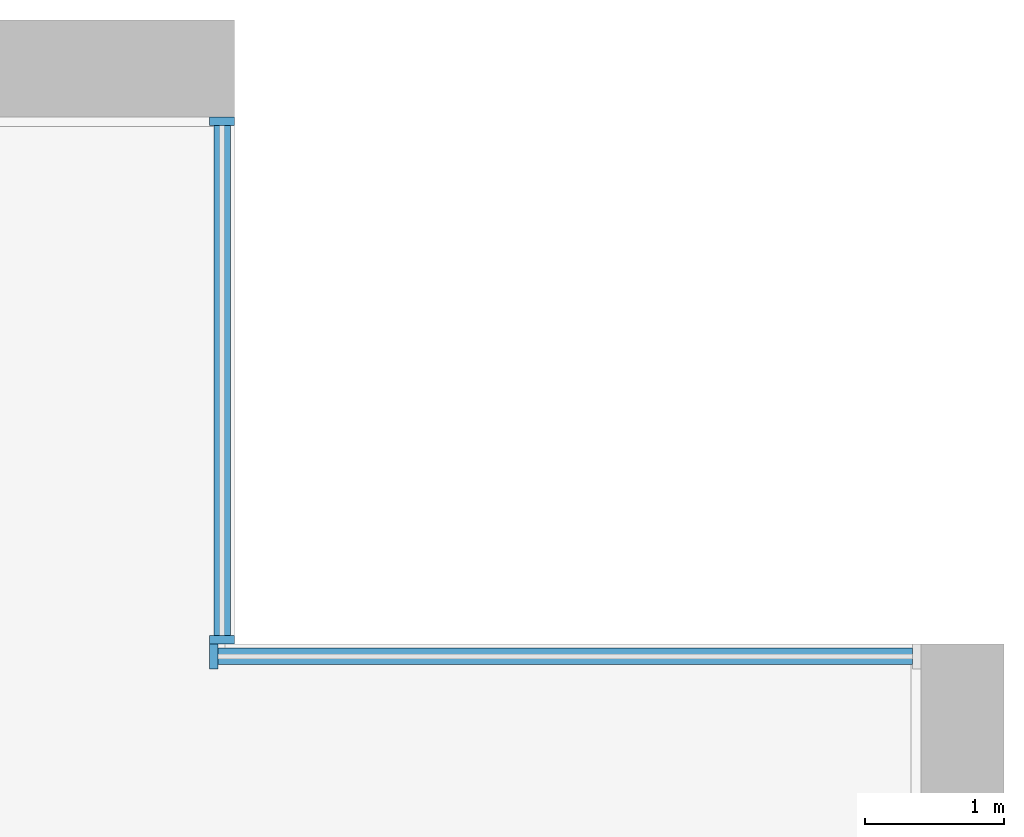
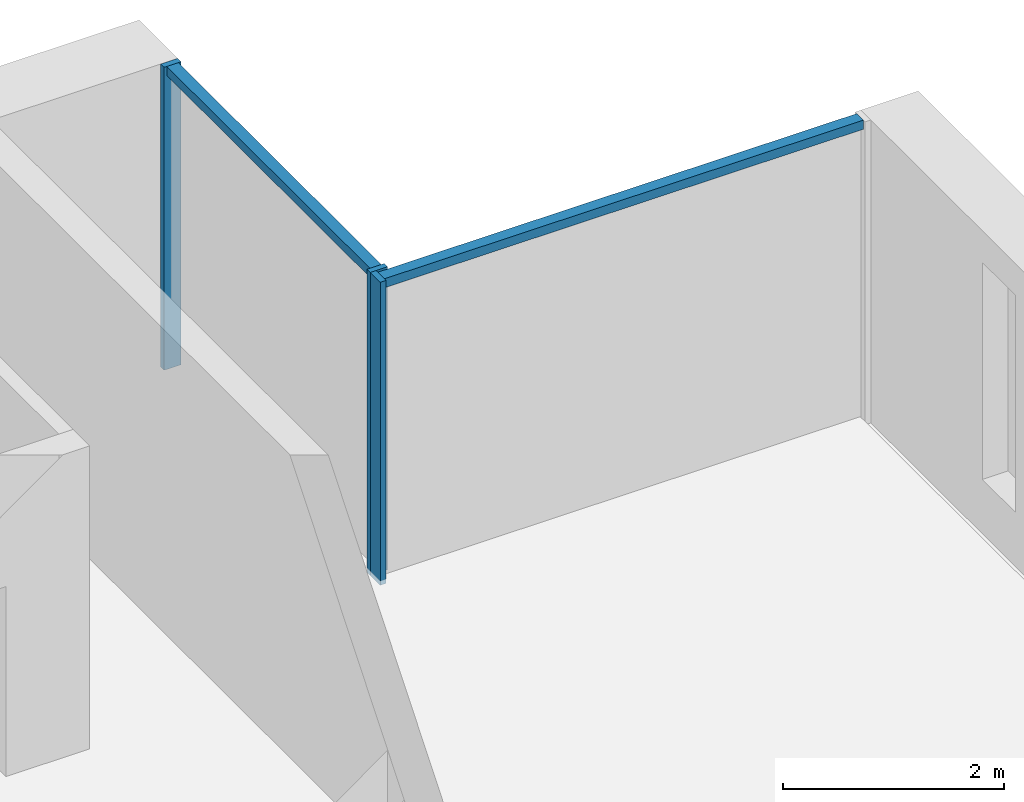
# One storey, part 5 of 17: 5 members, 2 elements without a shape of their own.
"""IFC4 building model written with IfcOpenShell, lengths in metres."""

from ifc_helpers import new_model, si_unit, direction, frame, origin, origin_2d, place, context, subcontext, project, spatial, rectangle, extrude, material, material_profile, profile_set, type_object, element, aggregate, save


model = new_model("IFC4")

# Units and contexts
model_context = context("Model", 3, precision=1e-05, world=origin(), true_north=direction((0.0, 1.0)))
body_context = subcontext(model_context, "Body", "Model", "MODEL_VIEW")
ifc_project = project(units=[si_unit("LENGTHUNIT", "METRE"), si_unit("AREAUNIT", "SQUARE_METRE"), si_unit("VOLUMEUNIT", "CUBIC_METRE"), si_unit("PLANEANGLEUNIT", "RADIAN"), si_unit("MASSUNIT", "GRAM", prefix="KILO")], contexts=[model_context])

# Site, building, storey
site_placement = place(None, origin())
site = spatial("IfcSite", under=ifc_project, at=site_placement, CompositionType="ELEMENT")
building_placement = place(site_placement, origin())
building = spatial("IfcBuilding", under=site, at=building_placement, Name="Calvaro Tower", CompositionType="ELEMENT")
storey_placement = place(building_placement, frame((0.0, 0.0, 200.5)))
storey = spatial("IfcBuildingStorey", under=building, at=storey_placement, Name="L50", CompositionType="ELEMENT", Elevation=200.5)

# Curtain wall, members
ifc_material_1 = material(Name="Anodised aluminium", Category="aluminium")
curtain_wall_type = type_object("IfcCurtainWallType", Name="Office curtain wall, upper zone", PredefinedType="NOTDEFINED", material=ifc_material_1)
curtain_wall_1_placement = place(storey_placement, origin())
curtain_wall_1 = element("IfcCurtainWall", 1, at=curtain_wall_1_placement, inside=storey, type_object=curtain_wall_type, Name="CW3 corner curtain wall", PredefinedType="NOTDEFINED")
ifc_material_2 = material(Name="Anodised aluminium", Category="aluminium")
ifc_material_profile_1 = material_profile(ifc_material_2, rectangle(XDim=0.179931640625, YDim=0.06005859375, at=origin_2d()), Name="Mullion S3 60 x 180")
ifc_profile_set_1 = profile_set([ifc_material_profile_1], Name="Anodised aluminium")
member_type_1 = type_object("IfcMemberType", Name="Mullion S3 60 x 180", PredefinedType="MULLION", material=ifc_profile_set_1)
member_1_placement = place(storey_placement, frame((66.360107421875, 41.530029296875, 0.0), z_axis=(0.0, 0.0, 1.0), x_axis=(-1.0, 0.0, 0.0)))
member_1 = element("IfcMember", 2, at=member_1_placement, type_object=member_type_1, Name="CW3 mullion 1", PredefinedType="MULLION", context=body_context, shape_type="SweptSolid", body=[
    extrude(rectangle(XDim=0.179931640625, YDim=0.06005859375, at=origin_2d()), origin(), (0.0, 0.0, 1.0), 3.35009765625),
])
member_2_placement = place(storey_placement, frame((66.360107421875, 45.27001953125, 0.0), z_axis=(0.0, 0.0, 1.0), x_axis=(-1.0, 0.0, 0.0)))
member_2 = element("IfcMember", 3, at=member_2_placement, type_object=member_type_1, Name="CW3 mullion 2", PredefinedType="MULLION", context=body_context, shape_type="SweptSolid", body=[
    extrude(rectangle(XDim=0.179931640625, YDim=0.06005859375, at=origin_2d()), origin(), (0.0, 0.0, 1.0), 3.35009765625),
])

# Curtain wall, member
curtain_wall_2_placement = place(storey_placement, origin())
curtain_wall_2 = element("IfcCurtainWall", 4, at=curtain_wall_2_placement, inside=storey, type_object=curtain_wall_type, Name="CW3 corner curtain wall", PredefinedType="NOTDEFINED")
member_3_placement = place(storey_placement, frame((66.300048828125, 41.409912109375, 0.0), z_axis=(0.0, 0.0, 1.0), x_axis=(0.0, 1.0, 0.0)))
member_3 = element("IfcMember", 5, at=member_3_placement, type_object=member_type_1, Name="CW3 mullion 1", PredefinedType="MULLION", context=body_context, shape_type="SweptSolid", body=[
    extrude(rectangle(XDim=0.179931640625, YDim=0.06005859375, at=origin_2d()), origin(), (0.0, 0.0, 1.0), 3.35009765625),
])

# Member
ifc_material_3 = material(Name="Anodised aluminium", Category="aluminium")
ifc_material_profile_2 = material_profile(ifc_material_3, rectangle(XDim=0.1201171875, YDim=0.10009765625, at=origin_2d()), Name="Transom S3 100 x 120")
ifc_profile_set_2 = profile_set([ifc_material_profile_2], Name="Anodised aluminium")
member_type_2 = type_object("IfcMemberType", Name="Transom S3 100 x 120", PredefinedType="USERDEFINED", material=ifc_profile_set_2)
member_4_placement = place(storey_placement, frame((66.360107421875, 41.56005859375, 3.300048828125), z_axis=(0.0, 1.0, 0.0), x_axis=(-1.0, 0.0, 0.0)))
member_4 = element("IfcMember", 6, at=member_4_placement, type_object=member_type_2, Name="CW3 transom 1.1", ObjectType="TRANSOM", PredefinedType="USERDEFINED", context=body_context, shape_type="SweptSolid", body=[
    extrude(rectangle(XDim=0.1201171875, YDim=0.10009765625, at=origin_2d()), origin(), (0.0, 0.0, 1.0), 3.679931640625),
])

aggregate(curtain_wall_1, [member_1, member_2, member_4])

member_5_placement = place(storey_placement, frame((66.330078125, 41.409912109375, 3.300048828125), z_axis=(1.0, 0.0, 0.0), x_axis=(0.0, 1.0, 0.0)))
member_5 = element("IfcMember", 7, at=member_5_placement, type_object=member_type_2, Name="CW3 transom 1.1", ObjectType="TRANSOM", PredefinedType="USERDEFINED", context=body_context, shape_type="SweptSolid", body=[
    extrude(rectangle(XDim=0.1201171875, YDim=0.10009765625, at=origin_2d()), origin(), (0.0, 0.0, 1.0), 5.010009765625),
])

aggregate(curtain_wall_2, [member_3, member_5])

save(model, "model.ifc")
